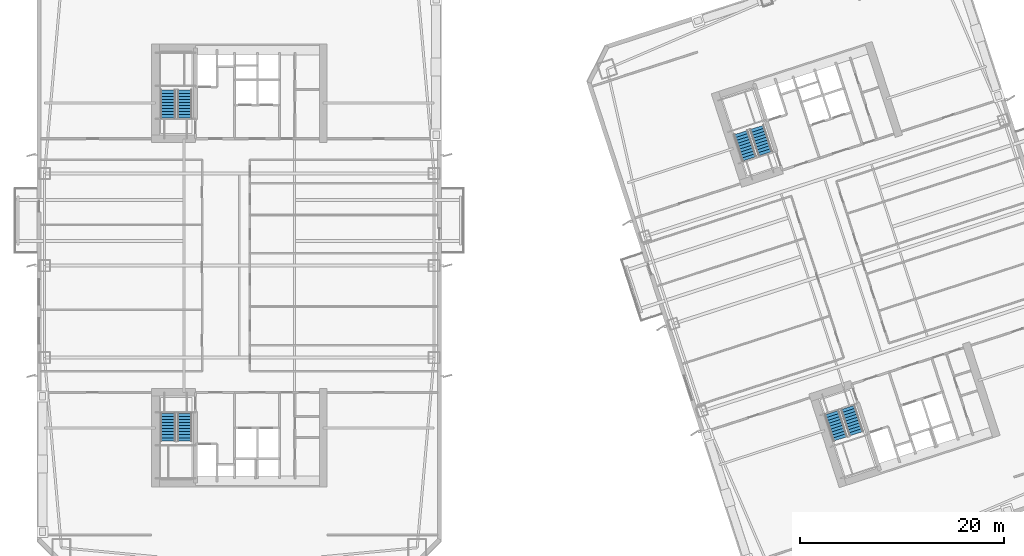
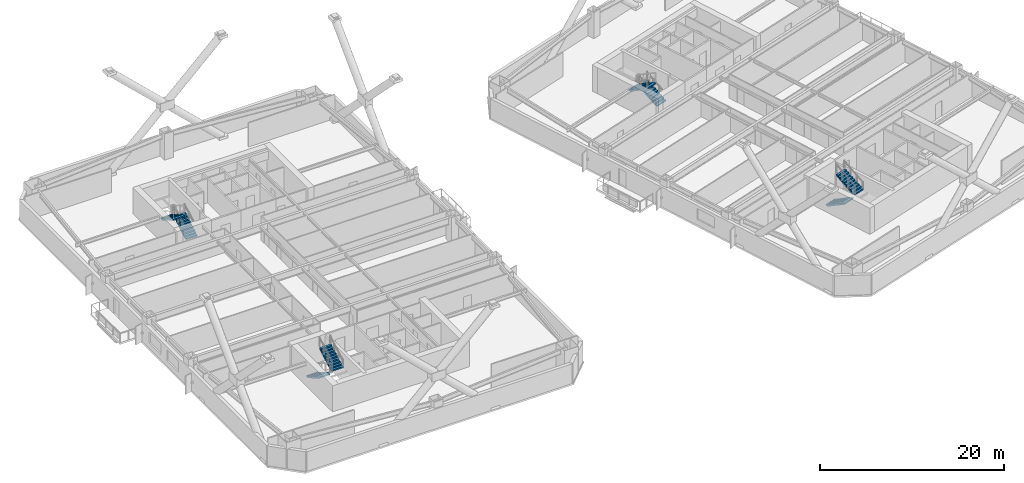
# One storey, part 10 of 18: 8 stair flights, 4 elements without a shape of their own.
"""IFC4 building model written with IfcOpenShell, lengths in metres."""

from ifc_helpers import new_model, si_unit, direction, frame, origin, place, context, subcontext, project, spatial, polyline, outline, extrude, material, type_object, element, aggregate, save


model = new_model("IFC4")

# Units and contexts
model_context = context("Model", 3, precision=1e-05, world=origin(), true_north=direction((0.0, 1.0)))
body_context = subcontext(model_context, "Body", "Model", "MODEL_VIEW")
ifc_project = project(units=[si_unit("LENGTHUNIT", "METRE"), si_unit("AREAUNIT", "SQUARE_METRE"), si_unit("VOLUMEUNIT", "CUBIC_METRE"), si_unit("PLANEANGLEUNIT", "RADIAN"), si_unit("MASSUNIT", "GRAM", prefix="KILO")], contexts=[model_context])

# Site, building, storey
site_placement = place(None, origin())
site = spatial("IfcSite", under=ifc_project, at=site_placement, CompositionType="ELEMENT")
building_placement = place(site_placement, origin())
building = spatial("IfcBuilding", under=site, at=building_placement, Name="Qiaolan Cultural Towers", CompositionType="ELEMENT")
storey_placement = place(building_placement, frame((0.0, 0.0, 57.5)))
storey = spatial("IfcBuildingStorey", under=building, at=storey_placement, Name="L13", CompositionType="ELEMENT", Elevation=57.5)

# Stair, stair flights
ifc_material_1 = material(Name="Concrete C45", Category="concrete")
stair_type = type_object("IfcStairType", Name="STR-CORE-1500", PredefinedType="HALF_TURN_STAIR", material=ifc_material_1)
stair_1_placement = place(storey_placement, origin())
stair_1 = element("IfcStair", 1, at=stair_1_placement, inside=storey, type_object=stair_type, Name="L13 Smokeproof Exit Stair ST-W1", PredefinedType="HALF_TURN_STAIR")
ifc_material_2 = material(Name="Concrete C45", Category="concrete")
stair_flight_type = type_object("IfcStairFlightType", Name="STR-CORE-1500-FL", PredefinedType="STRAIGHT", material=ifc_material_2)
stair_flight_1_placement = place(storey_placement, frame((23.02001953125, 19.550048828125, 0.0), z_axis=(0.0, 0.0, 1.0), x_axis=(0.0, -1.0, 0.0)))
stair_flight_1 = element("IfcStairFlight", 2, at=stair_flight_1_placement, type_object=stair_flight_type, Name="ST-W1 flight 1", NumberOfRisers=10, NumberOfTreads=9, PredefinedType="STRAIGHT", RiserHeight=0.1725, TreadLength=0.3, context=body_context, shape_type="SweptSolid", body=[
    extrude(outline(polyline([(0.0, 0.0), (0.0, 0.172607421875), (0.300048828125, 0.172607421875), (0.300048828125, 0.344970703125), (0.60009765625, 0.344970703125), (0.60009765625, 0.517578125), (0.89990234375, 0.517578125), (0.89990234375, 0.68994140625), (1.199951171875, 0.68994140625), (1.199951171875, 0.862548828125), (1.5, 0.862548828125), (1.5, 1.034912109375), (1.800048828125, 1.034912109375), (1.800048828125, 1.20751953125), (2.10009765625, 1.20751953125), (2.10009765625, 1.3798828125), (2.39990234375, 1.3798828125), (2.39990234375, 1.552490234375), (2.699951171875, 1.552490234375), (2.699951171875, 1.72509765625), (2.699951171875, 1.379638671875), (0.30078125, 0.0), (0.0, 0.0)])), frame((0.0, 0.719970703125, 0.0), z_axis=(0.0, -1.0, 0.0), x_axis=(1.0, 0.0, 0.0)), (0.0, 0.0, 1.0), 1.43994140625),
])
stair_flight_2_placement = place(storey_placement, frame((24.659912109375, 16.85009765625, 1.72509765625), z_axis=(0.0, 0.0, 1.0), x_axis=(0.0, 1.0, 0.0)))
stair_flight_2 = element("IfcStairFlight", 3, at=stair_flight_2_placement, type_object=stair_flight_type, Name="ST-W1 flight 2", NumberOfRisers=10, NumberOfTreads=9, PredefinedType="STRAIGHT", RiserHeight=0.1725, TreadLength=0.3, context=body_context, shape_type="SweptSolid", body=[
    extrude(outline(polyline([(0.0, 0.0), (0.0, 0.172607421875), (0.300048828125, 0.172607421875), (0.300048828125, 0.344970703125), (0.60009765625, 0.344970703125), (0.60009765625, 0.517578125), (0.89990234375, 0.517578125), (0.89990234375, 0.68994140625), (1.199951171875, 0.68994140625), (1.199951171875, 0.862548828125), (1.5, 0.862548828125), (1.5, 1.034912109375), (1.800048828125, 1.034912109375), (1.800048828125, 1.20751953125), (2.10009765625, 1.20751953125), (2.10009765625, 1.3798828125), (2.39990234375, 1.3798828125), (2.39990234375, 1.552490234375), (2.699951171875, 1.552490234375), (2.699951171875, 1.72509765625), (2.699951171875, 1.379638671875), (0.30078125, 0.0), (0.0, 0.0)])), frame((0.0, 0.719970703125, 0.0), z_axis=(0.0, -1.0, 0.0), x_axis=(1.0, 0.0, 0.0)), (0.0, 0.0, 1.0), 1.43994140625),
])
aggregate(stair_1, [stair_flight_1, stair_flight_2])

stair_2_placement = place(storey_placement, origin())
stair_2 = element("IfcStair", 4, at=stair_2_placement, inside=storey, type_object=stair_type, Name="L13 Smokeproof Exit Stair ST-W2", PredefinedType="HALF_TURN_STAIR")
stair_flight_3_placement = place(storey_placement, frame((24.659912109375, 48.449951171875, 0.0), z_axis=(0.0, 0.0, 1.0), x_axis=(0.0, 1.0, 0.0)))
stair_flight_3 = element("IfcStairFlight", 5, at=stair_flight_3_placement, type_object=stair_flight_type, Name="ST-W2 flight 1", NumberOfRisers=10, NumberOfTreads=9, PredefinedType="STRAIGHT", RiserHeight=0.1725, TreadLength=0.3, context=body_context, shape_type="SweptSolid", body=[
    extrude(outline(polyline([(0.0, 0.0), (0.0, 0.172607421875), (0.300048828125, 0.172607421875), (0.300048828125, 0.344970703125), (0.60009765625, 0.344970703125), (0.60009765625, 0.517578125), (0.89990234375, 0.517578125), (0.89990234375, 0.68994140625), (1.199951171875, 0.68994140625), (1.199951171875, 0.862548828125), (1.5, 0.862548828125), (1.5, 1.034912109375), (1.800048828125, 1.034912109375), (1.800048828125, 1.20751953125), (2.10009765625, 1.20751953125), (2.10009765625, 1.3798828125), (2.39990234375, 1.3798828125), (2.39990234375, 1.552490234375), (2.699951171875, 1.552490234375), (2.699951171875, 1.72509765625), (2.699951171875, 1.379638671875), (0.30078125, 0.0), (0.0, 0.0)])), frame((0.0, 0.719970703125, 0.0), z_axis=(0.0, -1.0, 0.0), x_axis=(1.0, 0.0, 0.0)), (0.0, 0.0, 1.0), 1.43994140625),
])
stair_flight_4_placement = place(storey_placement, frame((23.02001953125, 51.14990234375, 1.72509765625), z_axis=(0.0, 0.0, 1.0), x_axis=(0.0, -1.0, 0.0)))
stair_flight_4 = element("IfcStairFlight", 6, at=stair_flight_4_placement, type_object=stair_flight_type, Name="ST-W2 flight 2", NumberOfRisers=10, NumberOfTreads=9, PredefinedType="STRAIGHT", RiserHeight=0.1725, TreadLength=0.3, context=body_context, shape_type="SweptSolid", body=[
    extrude(outline(polyline([(0.0, 0.0), (0.0, 0.172607421875), (0.300048828125, 0.172607421875), (0.300048828125, 0.344970703125), (0.60009765625, 0.344970703125), (0.60009765625, 0.517578125), (0.89990234375, 0.517578125), (0.89990234375, 0.68994140625), (1.199951171875, 0.68994140625), (1.199951171875, 0.862548828125), (1.5, 0.862548828125), (1.5, 1.034912109375), (1.800048828125, 1.034912109375), (1.800048828125, 1.20751953125), (2.10009765625, 1.20751953125), (2.10009765625, 1.3798828125), (2.39990234375, 1.3798828125), (2.39990234375, 1.552490234375), (2.699951171875, 1.552490234375), (2.699951171875, 1.72509765625), (2.699951171875, 1.379638671875), (0.30078125, 0.0), (0.0, 0.0)])), frame((0.0, 0.719970703125, 0.0), z_axis=(0.0, -1.0, 0.0), x_axis=(1.0, 0.0, 0.0)), (0.0, 0.0, 1.0), 1.43994140625),
])
aggregate(stair_2, [stair_flight_3, stair_flight_4])

stair_3_placement = place(storey_placement, origin())
stair_3 = element("IfcStair", 7, at=stair_3_placement, inside=storey, type_object=stair_type, Name="L13 Smokeproof Exit Stair ST-E1", PredefinedType="HALF_TURN_STAIR")
stair_flight_5_placement = place(storey_placement, frame((87.96484375, 19.6171875, 0.0), z_axis=(0.0, 0.0, 1.0), x_axis=(0.309016994375, -0.951056516295, 0.0)))
stair_flight_5 = element("IfcStairFlight", 8, at=stair_flight_5_placement, type_object=stair_flight_type, Name="ST-E1 flight 1", NumberOfRisers=10, NumberOfTreads=9, PredefinedType="STRAIGHT", RiserHeight=0.1725, TreadLength=0.3, context=body_context, shape_type="SweptSolid", body=[
    extrude(outline(polyline([(0.0, 0.0), (0.0, 0.172607421875), (0.300048828125, 0.172607421875), (0.300048828125, 0.344970703125), (0.60009765625, 0.344970703125), (0.60009765625, 0.517578125), (0.89990234375, 0.517578125), (0.89990234375, 0.68994140625), (1.199951171875, 0.68994140625), (1.199951171875, 0.862548828125), (1.5, 0.862548828125), (1.5, 1.034912109375), (1.800048828125, 1.034912109375), (1.800048828125, 1.20751953125), (2.10009765625, 1.20751953125), (2.10009765625, 1.3798828125), (2.39990234375, 1.3798828125), (2.39990234375, 1.552490234375), (2.699951171875, 1.552490234375), (2.699951171875, 1.72509765625), (2.699951171875, 1.379638671875), (0.30078125, 0.0), (0.0, 0.0)])), frame((0.0, 0.719970703125, 0.0), z_axis=(0.0, -1.0, 0.0), x_axis=(1.0, 0.0, 0.0)), (0.0, 0.0, 1.0), 1.43994140625),
])
stair_flight_6_placement = place(storey_placement, frame((90.359130859375, 17.55615234375, 1.72509765625), z_axis=(0.0, 0.0, 1.0), x_axis=(-0.309016994375, 0.951056516295, 0.0)))
stair_flight_6 = element("IfcStairFlight", 9, at=stair_flight_6_placement, type_object=stair_flight_type, Name="ST-E1 flight 2", NumberOfRisers=10, NumberOfTreads=9, PredefinedType="STRAIGHT", RiserHeight=0.1725, TreadLength=0.3, context=body_context, shape_type="SweptSolid", body=[
    extrude(outline(polyline([(0.0, 0.0), (0.0, 0.172607421875), (0.300048828125, 0.172607421875), (0.300048828125, 0.344970703125), (0.60009765625, 0.344970703125), (0.60009765625, 0.517578125), (0.89990234375, 0.517578125), (0.89990234375, 0.68994140625), (1.199951171875, 0.68994140625), (1.199951171875, 0.862548828125), (1.5, 0.862548828125), (1.5, 1.034912109375), (1.800048828125, 1.034912109375), (1.800048828125, 1.20751953125), (2.10009765625, 1.20751953125), (2.10009765625, 1.3798828125), (2.39990234375, 1.3798828125), (2.39990234375, 1.552490234375), (2.699951171875, 1.552490234375), (2.699951171875, 1.72509765625), (2.699951171875, 1.379638671875), (0.30078125, 0.0), (0.0, 0.0)])), frame((0.0, 0.719970703125, 0.0), z_axis=(0.0, -1.0, 0.0), x_axis=(1.0, 0.0, 0.0)), (0.0, 0.0, 1.0), 1.43994140625),
])
aggregate(stair_3, [stair_flight_5, stair_flight_6])

stair_4_placement = place(storey_placement, origin())
stair_4 = element("IfcStair", 10, at=stair_4_placement, inside=storey, type_object=stair_type, Name="L13 Smokeproof Exit Stair ST-E2", PredefinedType="HALF_TURN_STAIR")
stair_flight_7_placement = place(storey_placement, frame((81.459228515625, 44.946533203125, 0.0), z_axis=(0.0, 0.0, 1.0), x_axis=(-0.309016994375, 0.951056516295, 0.0)))
stair_flight_7 = element("IfcStairFlight", 11, at=stair_flight_7_placement, type_object=stair_flight_type, Name="ST-E2 flight 1", NumberOfRisers=10, NumberOfTreads=9, PredefinedType="STRAIGHT", RiserHeight=0.1725, TreadLength=0.3, context=body_context, shape_type="SweptSolid", body=[
    extrude(outline(polyline([(0.0, 0.0), (0.0, 0.172607421875), (0.300048828125, 0.172607421875), (0.300048828125, 0.344970703125), (0.60009765625, 0.344970703125), (0.60009765625, 0.517578125), (0.89990234375, 0.517578125), (0.89990234375, 0.68994140625), (1.199951171875, 0.68994140625), (1.199951171875, 0.862548828125), (1.5, 0.862548828125), (1.5, 1.034912109375), (1.800048828125, 1.034912109375), (1.800048828125, 1.20751953125), (2.10009765625, 1.20751953125), (2.10009765625, 1.3798828125), (2.39990234375, 1.3798828125), (2.39990234375, 1.552490234375), (2.699951171875, 1.552490234375), (2.699951171875, 1.72509765625), (2.699951171875, 1.379638671875), (0.30078125, 0.0), (0.0, 0.0)])), frame((0.0, 0.719970703125, 0.0), z_axis=(0.0, -1.0, 0.0), x_axis=(1.0, 0.0, 0.0)), (0.0, 0.0, 1.0), 1.43994140625),
])
stair_flight_8_placement = place(storey_placement, frame((79.065185546875, 47.007568359375, 1.72509765625), z_axis=(0.0, 0.0, 1.0), x_axis=(0.309016994375, -0.951056516295, 0.0)))
stair_flight_8 = element("IfcStairFlight", 12, at=stair_flight_8_placement, type_object=stair_flight_type, Name="ST-E2 flight 2", NumberOfRisers=10, NumberOfTreads=9, PredefinedType="STRAIGHT", RiserHeight=0.1725, TreadLength=0.3, context=body_context, shape_type="SweptSolid", body=[
    extrude(outline(polyline([(0.0, 0.0), (0.0, 0.172607421875), (0.300048828125, 0.172607421875), (0.300048828125, 0.344970703125), (0.60009765625, 0.344970703125), (0.60009765625, 0.517578125), (0.89990234375, 0.517578125), (0.89990234375, 0.68994140625), (1.199951171875, 0.68994140625), (1.199951171875, 0.862548828125), (1.5, 0.862548828125), (1.5, 1.034912109375), (1.800048828125, 1.034912109375), (1.800048828125, 1.20751953125), (2.10009765625, 1.20751953125), (2.10009765625, 1.3798828125), (2.39990234375, 1.3798828125), (2.39990234375, 1.552490234375), (2.699951171875, 1.552490234375), (2.699951171875, 1.72509765625), (2.699951171875, 1.379638671875), (0.30078125, 0.0), (0.0, 0.0)])), frame((0.0, 0.719970703125, 0.0), z_axis=(0.0, -1.0, 0.0), x_axis=(1.0, 0.0, 0.0)), (0.0, 0.0, 1.0), 1.43994140625),
])
aggregate(stair_4, [stair_flight_7, stair_flight_8])

save(model, "model.ifc")
